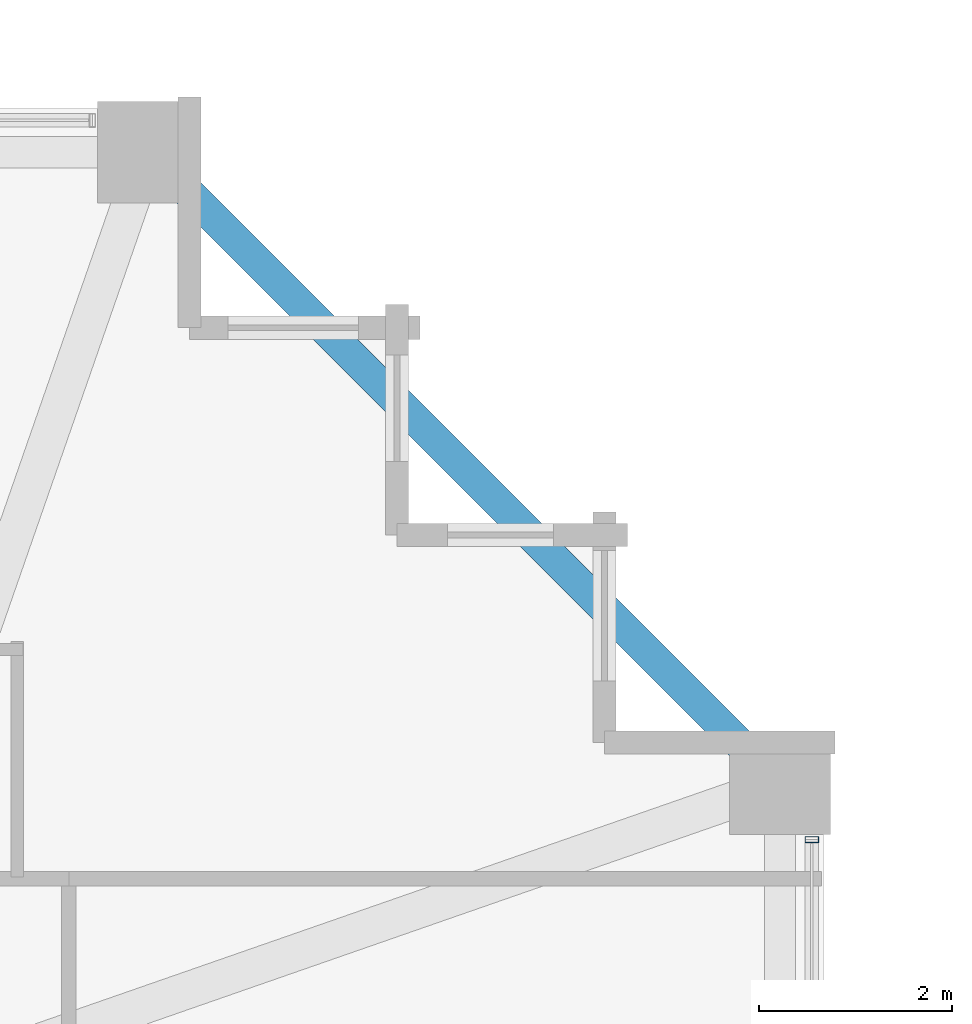
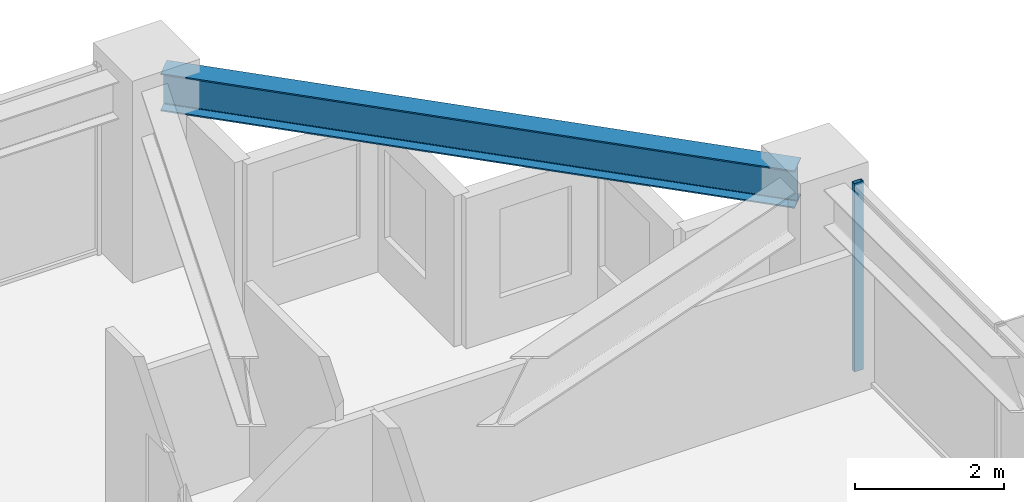
# One storey, part 23 of 37: 1 beam, 1 member, 1 element without a shape of its own.
"""IFC4 building model written with IfcOpenShell, lengths in metres."""

from ifc_helpers import new_model, si_unit, direction, frame, origin, origin_2d, place, context, subcontext, project, spatial, hollow_rectangle, i_section, extrude, material, material_profile, profile_set, type_object, element, aggregate, save


model = new_model("IFC4")

# Units and contexts
model_context = context("Model", 3, precision=1e-05, world=origin(), true_north=direction((0.0, 1.0)))
body_context = subcontext(model_context, "Body", "Model", "MODEL_VIEW")
ifc_project = project(units=[si_unit("LENGTHUNIT", "METRE"), si_unit("AREAUNIT", "SQUARE_METRE"), si_unit("VOLUMEUNIT", "CUBIC_METRE"), si_unit("PLANEANGLEUNIT", "RADIAN"), si_unit("MASSUNIT", "GRAM", prefix="KILO")], contexts=[model_context])

# Site, building, storey
site_placement = place(None, origin())
site = spatial("IfcSite", under=ifc_project, at=site_placement, CompositionType="ELEMENT")
building_placement = place(site_placement, origin())
building = spatial("IfcBuilding", under=site, at=building_placement, Name="Kolvaren Belvedere", CompositionType="ELEMENT")
storey_placement = place(building_placement, frame((0.0, 0.0, 82.10009765625)))
storey = spatial("IfcBuildingStorey", under=building, at=storey_placement, Name="L23", CompositionType="ELEMENT", Elevation=82.10009765625)

# Beam
ifc_material_1 = material(Name="Structural steel ASTM A992 Grade 50", Category="steel")
ifc_material_profile_1 = material_profile(ifc_material_1, i_section(OverallWidth=0.324951171875, OverallDepth=0.615966796875, WebThickness=0.013916015625, FlangeThickness=0.021484375, FilletRadius=0.02001953125, at=origin_2d()), Name="W24X117")
ifc_profile_set_1 = profile_set([ifc_material_profile_1], Name="Structural steel ASTM A992 Grade 50")
beam_type = type_object("IfcBeamType", Name="BM-SPAN-W24X117", PredefinedType="SPANDREL", material=ifc_profile_set_1)
beam_placement = place(storey_placement, frame((19.782958984375, 13.567138671875, 2.77197265625), z_axis=(-0.707106781187, 0.707106781187, 0.0), x_axis=(-0.707106781187, -0.707106781187, 0.0)))
element("IfcBeam", 1, at=beam_placement, inside=storey, type_object=beam_type, Name="L23 Perimeter Spandrel E4-N4", PredefinedType="SPANDREL", context=body_context, shape_type="SweptSolid", body=[
    extrude(i_section(OverallWidth=0.324951171875, OverallDepth=0.615966796875, WebThickness=0.013916015625, FlangeThickness=0.021484375, FilletRadius=0.02001953125, at=origin_2d()), origin(), (0.0, 0.0, 1.0), 8.79052734375),
])

# Curtain wall, member
ifc_material_2 = material(Name="Anodised pale-metal aluminium AA 6063-T6", Category="aluminium")
curtain_wall_type = type_object("IfcCurtainWallType", Name="CW-Z2-MID", PredefinedType="NOTDEFINED", material=ifc_material_2)
curtain_wall_placement = place(storey_placement, origin())
curtain_wall = element("IfcCurtainWall", 2, at=curtain_wall_placement, inside=storey, type_object=curtain_wall_type, Name="L23 Unitised Curtain Wall FCW-L23-E1-B1", PredefinedType="NOTDEFINED")
ifc_material_3 = material(Name="Anodised pale-metal aluminium AA 6063-T6", Category="aluminium")
ifc_material_profile_2 = material_profile(ifc_material_3, hollow_rectangle(XDim=0.06494140625, YDim=0.139892578125, WallThickness=0.00390625, at=origin_2d()), Name="ALU-MUL-140X65")
ifc_profile_set_2 = profile_set([ifc_material_profile_2], Name="Anodised pale-metal aluminium AA 6063-T6")
member_type = type_object("IfcMemberType", Name="CW-MUL-140", PredefinedType="MULLION", material=ifc_profile_set_2)
member_placement = place(storey_placement, frame((20.280029296875, 12.822509765625, 0.0), z_axis=(0.0, 0.0, 1.0), x_axis=(0.0, 1.0, 0.0)))
member = element("IfcMember", 3, at=member_placement, type_object=member_type, Name="FCW-L23-E1-B1 Unitised Mullion 1", PredefinedType="MULLION", context=body_context, shape_type="SweptSolid", body=[
    extrude(hollow_rectangle(XDim=0.06494140625, YDim=0.139892578125, WallThickness=0.00390625, at=origin_2d()), origin(), (0.0, 0.0, 1.0), 3.079833984375),
])
aggregate(curtain_wall, [member])

save(model, "model.ifc")
